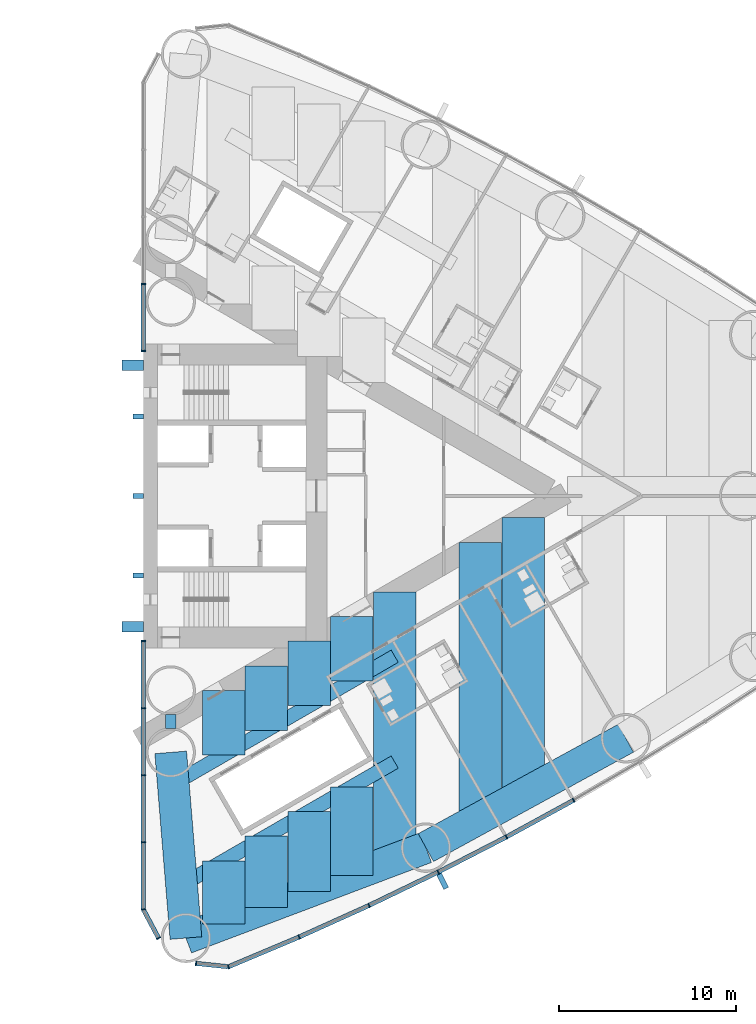
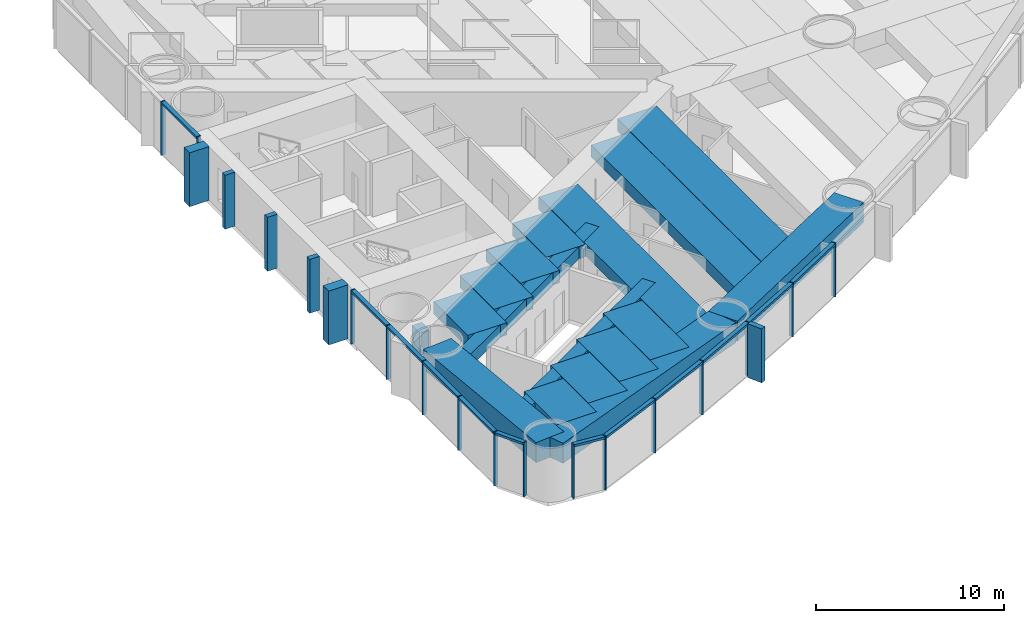
# One storey, part 6 of 19: 33 members, 17 beams, 3 elements without a shape of their own.
"""IFC4 building model written with IfcOpenShell, lengths in metres."""

from ifc_helpers import new_model, si_unit, direction, frame, origin, origin_2d, place, context, subcontext, project, spatial, rectangle, hollow_rectangle, extrude, material, material_profile, profile_set, type_object, element, aggregate, save


model = new_model("IFC4")

# Units and contexts
model_context = context("Model", 3, precision=1e-05, world=origin(), true_north=direction((0.0, 1.0)))
body_context = subcontext(model_context, "Body", "Model", "MODEL_VIEW")
ifc_project = project(units=[si_unit("LENGTHUNIT", "METRE"), si_unit("AREAUNIT", "SQUARE_METRE"), si_unit("VOLUMEUNIT", "CUBIC_METRE"), si_unit("PLANEANGLEUNIT", "RADIAN"), si_unit("MASSUNIT", "GRAM", prefix="KILO")], contexts=[model_context])

# Site, building, storey
site_placement = place(None, origin())
site = spatial("IfcSite", under=ifc_project, at=site_placement, CompositionType="ELEMENT")
building_placement = place(site_placement, origin())
building = spatial("IfcBuilding", under=site, at=building_placement, Name="Lancet Gate Hotel", CompositionType="ELEMENT")
storey_placement = place(building_placement, frame((0.0, 0.0, 28.5)))
storey = spatial("IfcBuildingStorey", under=building, at=storey_placement, Name="L06", CompositionType="ELEMENT", Elevation=28.5)

# Curtain wall, members
ifc_material_1 = material(Name="Aluminium curtain wall", Category="aluminium")
curtain_wall_type = type_object("IfcCurtainWallType", Name="Tower unitised curtain wall", PredefinedType="USERDEFINED", material=ifc_material_1)
curtain_wall_1_placement = place(storey_placement, origin())
curtain_wall_1 = element("IfcCurtainWall", 1, at=curtain_wall_1_placement, inside=storey, type_object=curtain_wall_type, Name="T2 L06 curtain wall 1", ObjectType="UNITISED CURTAIN WALL", PredefinedType="USERDEFINED")
ifc_material_2 = material(Name="Aluminium mullion", Category="aluminium")
ifc_material_profile_1 = material_profile(ifc_material_2, rectangle(XDim=0.06494140625, YDim=0.25, at=origin_2d()), Name="MULLION 65x250")
ifc_profile_set_1 = profile_set([ifc_material_profile_1], Name="Aluminium mullion")
member_type_1 = type_object("IfcMemberType", Name="Aluminium mullion 65x250", PredefinedType="MULLION", material=ifc_profile_set_1)
member_1_placement = place(storey_placement, frame((27.5, -8.199951171875, 0.0), z_axis=(0.0, 0.0, 1.0), x_axis=(0.0, -1.0, 0.0)))
member_1 = element("IfcMember", 2, at=member_1_placement, type_object=member_type_1, Name="T2 L06 curtain wall 1 mullion 1", PredefinedType="MULLION", context=body_context, shape_type="SweptSolid", body=[
    extrude(rectangle(XDim=0.06494140625, YDim=0.25, at=origin_2d()), origin(), (0.0, 0.0, 1.0), 3.5),
])
member_2_placement = place(storey_placement, frame((27.5, -11.99609375, 0.0), z_axis=(0.0, 0.0, 1.0), x_axis=(0.0, -1.0, 0.0)))
member_2 = element("IfcMember", 3, at=member_2_placement, type_object=member_type_1, Name="T2 L06 curtain wall 1 mullion 2", PredefinedType="MULLION", context=body_context, shape_type="SweptSolid", body=[
    extrude(rectangle(XDim=0.06494140625, YDim=0.25, at=origin_2d()), origin(), (0.0, 0.0, 1.0), 3.5),
])
member_3_placement = place(storey_placement, frame((27.5, -15.79248046875, 0.0), z_axis=(0.0, 0.0, 1.0), x_axis=(0.0, -1.0, 0.0)))
member_3 = element("IfcMember", 4, at=member_3_placement, type_object=member_type_1, Name="T2 L06 curtain wall 1 mullion 3", PredefinedType="MULLION", context=body_context, shape_type="SweptSolid", body=[
    extrude(rectangle(XDim=0.06494140625, YDim=0.25, at=origin_2d()), origin(), (0.0, 0.0, 1.0), 3.5),
])
member_4_placement = place(storey_placement, frame((27.5, -19.588623046875, 0.0), z_axis=(0.0, 0.0, 1.0), x_axis=(0.0, -1.0, 0.0)))
member_4 = element("IfcMember", 5, at=member_4_placement, type_object=member_type_1, Name="T2 L06 curtain wall 1 mullion 4", PredefinedType="MULLION", context=body_context, shape_type="SweptSolid", body=[
    extrude(rectangle(XDim=0.06494140625, YDim=0.25, at=origin_2d()), origin(), (0.0, 0.0, 1.0), 3.5),
])
member_5_placement = place(storey_placement, frame((27.5, -23.384765625, 0.0), z_axis=(0.0, 0.0, 1.0), x_axis=(0.157751691459, -0.987478811844, 0.0)))
member_5 = element("IfcMember", 6, at=member_5_placement, type_object=member_type_1, Name="T2 L06 curtain wall 1 mullion 5", PredefinedType="MULLION", context=body_context, shape_type="SweptSolid", body=[
    extrude(rectangle(XDim=0.06494140625, YDim=0.25, at=origin_2d()), origin(), (0.0, 0.0, 1.0), 3.5),
])
member_6_placement = place(storey_placement, frame((28.366455078125, -25.012451171875, 0.0), z_axis=(0.0, 0.0, 1.0), x_axis=(0.469897827284, -0.882720811987, 0.0)))
member_6 = element("IfcMember", 7, at=member_6_placement, type_object=member_type_1, Name="T2 L06 curtain wall 1 mullion 6", PredefinedType="MULLION", context=body_context, shape_type="SweptSolid", body=[
    extrude(rectangle(XDim=0.06494140625, YDim=0.25, at=origin_2d()), origin(), (0.0, 0.0, 1.0), 3.5),
])

curtain_wall_2_placement = place(storey_placement, origin())
curtain_wall_2 = element("IfcCurtainWall", 8, at=curtain_wall_2_placement, inside=storey, type_object=curtain_wall_type, Name="T2 L06 curtain wall 2", ObjectType="UNITISED CURTAIN WALL", PredefinedType="USERDEFINED")
member_7_placement = place(storey_placement, frame((30.48388671875, -26.4375, 0.0), z_axis=(0.0, 0.0, 1.0), x_axis=(0.994672262412, -0.10308778001, 0.0)))
member_7 = element("IfcMember", 9, at=member_7_placement, type_object=member_type_1, Name="T2 L06 curtain wall 2 mullion 1", PredefinedType="MULLION", context=body_context, shape_type="SweptSolid", body=[
    extrude(rectangle(XDim=0.06494140625, YDim=0.25, at=origin_2d()), origin(), (0.0, 0.0, 1.0), 3.5),
])
member_8_placement = place(storey_placement, frame((32.3173828125, -26.62744140625, 0.0), z_axis=(0.0, 0.0, 1.0), x_axis=(0.968721492963, 0.248150496819, 0.0)))
member_8 = element("IfcMember", 10, at=member_8_placement, type_object=member_type_1, Name="T2 L06 curtain wall 2 mullion 2", PredefinedType="MULLION", context=body_context, shape_type="SweptSolid", body=[
    extrude(rectangle(XDim=0.06494140625, YDim=0.25, at=origin_2d()), origin(), (0.0, 0.0, 1.0), 3.5),
])
member_9_placement = place(storey_placement, frame((36.31494140625, -24.943603515625, 0.0), z_axis=(0.0, 0.0, 1.0), x_axis=(0.916578705089, 0.399854320193, 0.0)))
member_9 = element("IfcMember", 11, at=member_9_placement, type_object=member_type_1, Name="T2 L06 curtain wall 2 mullion 3", PredefinedType="MULLION", context=body_context, shape_type="SweptSolid", body=[
    extrude(rectangle(XDim=0.06494140625, YDim=0.25, at=origin_2d()), origin(), (0.0, 0.0, 1.0), 3.5),
])
member_10_placement = place(storey_placement, frame((40.2685546875, -23.15869140625, 0.0), z_axis=(0.0, 0.0, 1.0), x_axis=(0.906104948671, 0.423052977762, 0.0)))
member_10 = element("IfcMember", 12, at=member_10_placement, type_object=member_type_1, Name="T2 L06 curtain wall 2 mullion 4", PredefinedType="MULLION", context=body_context, shape_type="SweptSolid", body=[
    extrude(rectangle(XDim=0.06494140625, YDim=0.25, at=origin_2d()), origin(), (0.0, 0.0, 1.0), 3.5),
])
member_11_placement = place(storey_placement, frame((44.17529296875, -21.273681640625, 0.0), z_axis=(0.0, 0.0, 1.0), x_axis=(0.895044147438, 0.445977548917, 0.0)))
member_11 = element("IfcMember", 13, at=member_11_placement, type_object=member_type_1, Name="T2 L06 curtain wall 2 mullion 5", PredefinedType="MULLION", context=body_context, shape_type="SweptSolid", body=[
    extrude(rectangle(XDim=0.06494140625, YDim=0.25, at=origin_2d()), origin(), (0.0, 0.0, 1.0), 3.5),
])
member_12_placement = place(storey_placement, frame((48.03271484375, -19.2900390625, 0.0), z_axis=(0.0, 0.0, 1.0), x_axis=(0.88340346743, 0.468613181347, 0.0)))
member_12 = element("IfcMember", 14, at=member_12_placement, type_object=member_type_1, Name="T2 L06 curtain wall 2 mullion 6", PredefinedType="MULLION", context=body_context, shape_type="SweptSolid", body=[
    extrude(rectangle(XDim=0.06494140625, YDim=0.25, at=origin_2d()), origin(), (0.0, 0.0, 1.0), 3.5),
])
member_13_placement = place(storey_placement, frame((51.838623046875, -17.208740234375, 0.0), z_axis=(0.0, 0.0, 1.0), x_axis=(0.871190450382, 0.490945209941, 0.0)))
member_13 = element("IfcMember", 15, at=member_13_placement, type_object=member_type_1, Name="T2 L06 curtain wall 2 mullion 7", PredefinedType="MULLION", context=body_context, shape_type="SweptSolid", body=[
    extrude(rectangle(XDim=0.06494140625, YDim=0.25, at=origin_2d()), origin(), (0.0, 0.0, 1.0), 3.5),
])

curtain_wall_3_placement = place(storey_placement, origin())
curtain_wall_3 = element("IfcCurtainWall", 16, at=curtain_wall_3_placement, inside=storey, type_object=curtain_wall_type, Name="T2 L06 curtain wall 4", ObjectType="UNITISED CURTAIN WALL", PredefinedType="USERDEFINED")
member_14_placement = place(storey_placement, frame((27.5, 11.99609375, 0.0), z_axis=(0.0, 0.0, 1.0), x_axis=(0.0, -1.0, 0.0)))
member_14 = element("IfcMember", 17, at=member_14_placement, type_object=member_type_1, Name="T2 L06 curtain wall 4 mullion 5", PredefinedType="MULLION", context=body_context, shape_type="SweptSolid", body=[
    extrude(rectangle(XDim=0.06494140625, YDim=0.25, at=origin_2d()), origin(), (0.0, 0.0, 1.0), 3.5),
])
member_15_placement = place(storey_placement, frame((27.5, 8.199951171875, 0.0), z_axis=(0.0, 0.0, 1.0), x_axis=(0.0, -1.0, 0.0)))
member_15 = element("IfcMember", 18, at=member_15_placement, type_object=member_type_1, Name="T2 L06 curtain wall 4 mullion 6", PredefinedType="MULLION", context=body_context, shape_type="SweptSolid", body=[
    extrude(rectangle(XDim=0.06494140625, YDim=0.25, at=origin_2d()), origin(), (0.0, 0.0, 1.0), 3.5),
])

# Member
ifc_material_3 = material(Name="Aluminium transom", Category="aluminium")
ifc_material_profile_2 = material_profile(ifc_material_3, rectangle(XDim=0.25, YDim=0.14990234375, at=origin_2d()), Name="TRANSOM 250x150")
ifc_profile_set_2 = profile_set([ifc_material_profile_2], Name="Aluminium transom")
member_type_2 = type_object("IfcMemberType", Name="Aluminium transom 250x150", PredefinedType="USERDEFINED", material=ifc_profile_set_2)
member_16_placement = place(storey_placement, frame((27.5, -8.232421875, 3.425048828125), z_axis=(0.0, -1.0, 0.0), x_axis=(1.0, 0.0, 0.0)))
member_16 = element("IfcMember", 19, at=member_16_placement, type_object=member_type_2, Name="T2 L06 curtain wall 1 transom 1", ObjectType="TRANSOM", PredefinedType="USERDEFINED", context=body_context, shape_type="SweptSolid", body=[
    extrude(rectangle(XDim=0.25, YDim=0.14990234375, at=origin_2d()), origin(), (0.0, 0.0, 1.0), 3.731201171875),
])

member_17_placement = place(storey_placement, frame((27.5, -12.02880859375, 3.425048828125), z_axis=(0.0, -1.0, 0.0), x_axis=(1.0, 0.0, 0.0)))
member_17 = element("IfcMember", 20, at=member_17_placement, type_object=member_type_2, Name="T2 L06 curtain wall 1 transom 2", ObjectType="TRANSOM", PredefinedType="USERDEFINED", context=body_context, shape_type="SweptSolid", body=[
    extrude(rectangle(XDim=0.25, YDim=0.14990234375, at=origin_2d()), origin(), (0.0, 0.0, 1.0), 3.731201171875),
])

member_18_placement = place(storey_placement, frame((27.5, -15.824951171875, 3.425048828125), z_axis=(0.0, -1.0, 0.0), x_axis=(1.0, 0.0, 0.0)))
member_18 = element("IfcMember", 21, at=member_18_placement, type_object=member_type_2, Name="T2 L06 curtain wall 1 transom 3", ObjectType="TRANSOM", PredefinedType="USERDEFINED", context=body_context, shape_type="SweptSolid", body=[
    extrude(rectangle(XDim=0.25, YDim=0.14990234375, at=origin_2d()), origin(), (0.0, 0.0, 1.0), 3.731201171875),
])

member_19_placement = place(storey_placement, frame((27.5, -19.62109375, 3.425048828125), z_axis=(0.0, -1.0, 0.0), x_axis=(1.0, 0.0, 0.0)))
member_19 = element("IfcMember", 22, at=member_19_placement, type_object=member_type_2, Name="T2 L06 curtain wall 1 transom 4", ObjectType="TRANSOM", PredefinedType="USERDEFINED", context=body_context, shape_type="SweptSolid", body=[
    extrude(rectangle(XDim=0.25, YDim=0.14990234375, at=origin_2d()), origin(), (0.0, 0.0, 1.0), 3.731201171875),
])

member_20_placement = place(storey_placement, frame((27.515380859375, -23.41357421875, 3.425048828125), z_axis=(0.469904276347, -0.882717378933, 0.0), x_axis=(0.882717378933, 0.469904276347, 0.0)))
member_20 = element("IfcMember", 23, at=member_20_placement, type_object=member_type_2, Name="T2 L06 curtain wall 1 transom 5", ObjectType="TRANSOM", PredefinedType="USERDEFINED", context=body_context, shape_type="SweptSolid", body=[
    extrude(rectangle(XDim=0.25, YDim=0.14990234375, at=origin_2d()), origin(), (0.0, 0.0, 1.0), 1.779052734375),
])

aggregate(curtain_wall_1, [member_1, member_2, member_3, member_4, member_5, member_6, member_16, member_17, member_18, member_19, member_20])

member_21_placement = place(storey_placement, frame((30.516357421875, -26.440673828125, 3.425048828125), z_axis=(0.994670452051, -0.103105246306, 0.0), x_axis=(0.103105246306, 0.994670452051, 0.0)))
member_21 = element("IfcMember", 24, at=member_21_placement, type_object=member_type_2, Name="T2 L06 curtain wall 2 transom 1", ObjectType="TRANSOM", PredefinedType="USERDEFINED", context=body_context, shape_type="SweptSolid", body=[
    extrude(rectangle(XDim=0.25, YDim=0.14990234375, at=origin_2d()), origin(), (0.0, 0.0, 1.0), 1.7783203125),
])

member_22_placement = place(storey_placement, frame((32.347412109375, -26.61474609375, 3.425048828125), z_axis=(0.92159772617, 0.388146404233, 0.0), x_axis=(-0.388146404233, 0.92159772617, 0.0)))
member_22 = element("IfcMember", 25, at=member_22_placement, type_object=member_type_2, Name="T2 L06 curtain wall 2 transom 2", ObjectType="TRANSOM", PredefinedType="USERDEFINED", context=body_context, shape_type="SweptSolid", body=[
    extrude(rectangle(XDim=0.25, YDim=0.14990234375, at=origin_2d()), origin(), (0.0, 0.0, 1.0), 4.272705078125),
])

member_23_placement = place(storey_placement, frame((36.3447265625, -24.930419921875, 3.425048828125), z_axis=(0.911396871737, 0.411528543589, 0.0), x_axis=(-0.411528543589, 0.911396871737, 0.0)))
member_23 = element("IfcMember", 26, at=member_23_placement, type_object=member_type_2, Name="T2 L06 curtain wall 2 transom 3", ObjectType="TRANSOM", PredefinedType="USERDEFINED", context=body_context, shape_type="SweptSolid", body=[
    extrude(rectangle(XDim=0.25, YDim=0.14990234375, at=origin_2d()), origin(), (0.0, 0.0, 1.0), 4.272705078125),
])

member_24_placement = place(storey_placement, frame((40.2978515625, -23.14453125, 3.425048828125), z_axis=(0.900646499888, 0.434552508035, 0.0), x_axis=(-0.434552508035, 0.900646499888, 0.0)))
member_24 = element("IfcMember", 27, at=member_24_placement, type_object=member_type_2, Name="T2 L06 curtain wall 2 transom 4", ObjectType="TRANSOM", PredefinedType="USERDEFINED", context=body_context, shape_type="SweptSolid", body=[
    extrude(rectangle(XDim=0.25, YDim=0.14990234375, at=origin_2d()), origin(), (0.0, 0.0, 1.0), 4.272705078125),
])

member_25_placement = place(storey_placement, frame((44.2041015625, -21.259033203125, 3.425048828125), z_axis=(0.88929576978, 0.457332520002, 0.0), x_axis=(-0.457332520002, 0.88929576978, 0.0)))
member_25 = element("IfcMember", 28, at=member_25_placement, type_object=member_type_2, Name="T2 L06 curtain wall 2 transom 5", ObjectType="TRANSOM", PredefinedType="USERDEFINED", context=body_context, shape_type="SweptSolid", body=[
    extrude(rectangle(XDim=0.25, YDim=0.14990234375, at=origin_2d()), origin(), (0.0, 0.0, 1.0), 4.272705078125),
])

member_26_placement = place(storey_placement, frame((48.061279296875, -19.2744140625, 3.425048828125), z_axis=(0.877377528879, 0.479800658417, 0.0), x_axis=(-0.479800658417, 0.877377528879, 0.0)))
member_26 = element("IfcMember", 29, at=member_26_placement, type_object=member_type_2, Name="T2 L06 curtain wall 2 transom 6", ObjectType="TRANSOM", PredefinedType="USERDEFINED", context=body_context, shape_type="SweptSolid", body=[
    extrude(rectangle(XDim=0.25, YDim=0.14990234375, at=origin_2d()), origin(), (0.0, 0.0, 1.0), 4.272705078125),
])

member_27_placement = place(storey_placement, frame((27.5, 11.963623046875, 3.425048828125), z_axis=(0.0, -1.0, 0.0), x_axis=(1.0, 0.0, 0.0)))
member_27 = element("IfcMember", 30, at=member_27_placement, type_object=member_type_2, Name="T2 L06 curtain wall 4 transom 5", ObjectType="TRANSOM", PredefinedType="USERDEFINED", context=body_context, shape_type="SweptSolid", body=[
    extrude(rectangle(XDim=0.25, YDim=0.14990234375, at=origin_2d()), origin(), (0.0, 0.0, 1.0), 3.731201171875),
])

aggregate(curtain_wall_3, [member_14, member_15, member_27])

# Beams
ifc_material_4 = material(Name="Concrete C50/60", Category="concrete")
ifc_material_profile_3 = material_profile(ifc_material_4, rectangle(XDim=1.800048828125, YDim=1.300048828125, at=origin_2d()), Name="RC 1800x1300")
ifc_profile_set_3 = profile_set([ifc_material_profile_3], Name="Concrete C50/60")
beam_type_1 = type_object("IfcBeamType", Name="Edge beam RC 1800x1300", PredefinedType="SPANDREL", material=ifc_profile_set_3)
beam_1_placement = place(storey_placement, frame((29.9111328125, -25.00244140625, 2.60009765625), z_axis=(0.935736448066, 0.352700013836, 0.0), x_axis=(-0.352700013836, 0.935736448066, 0.0)))
element("IfcBeam", 31, at=beam_1_placement, inside=storey, type_object=beam_type_1, Name="T2 edge beam EB1 L06", PredefinedType="SPANDREL", context=body_context, shape_type="SweptSolid", body=[
    extrude(rectangle(XDim=1.800048828125, YDim=1.300048828125, at=origin_2d()), origin(), (0.0, 0.0, 1.0), 14.505126953125),
])
beam_2_placement = place(storey_placement, frame((43.484130859375, -19.886474609375, 2.60009765625), z_axis=(0.87736889738, 0.479816441893, 0.0), x_axis=(-0.479816441893, 0.87736889738, 0.0)))
element("IfcBeam", 32, at=beam_2_placement, inside=storey, type_object=beam_type_1, Name="T2 edge beam EB1 L06", PredefinedType="SPANDREL", context=body_context, shape_type="SweptSolid", body=[
    extrude(rectangle(XDim=1.800048828125, YDim=1.300048828125, at=origin_2d()), origin(), (0.0, 0.0, 1.0), 12.89208984375),
])
beam_3_placement = place(storey_placement, frame((29.9111328125, -25.00244140625, 2.60009765625), z_axis=(-0.081714744052, 0.996655758326, 0.0), x_axis=(-0.996655758326, -0.081714744052, 0.0)))
element("IfcBeam", 33, at=beam_3_placement, inside=storey, type_object=beam_type_1, Name="T2 edge beam EB1 L06", PredefinedType="SPANDREL", context=body_context, shape_type="SweptSolid", body=[
    extrude(rectangle(XDim=1.800048828125, YDim=1.300048828125, at=origin_2d()), origin(), (0.0, 0.0, 1.0), 10.53759765625),
])

# Members
ifc_material_5 = material(Name="Concrete C60/75", Category="concrete")
ifc_material_profile_4 = material_profile(ifc_material_5, rectangle(XDim=0.60009765625, YDim=1.199951171875, at=origin_2d()), Name="FIN 600x1200")
ifc_profile_set_4 = profile_set([ifc_material_profile_4], Name="Concrete C60/75")
member_type_3 = type_object("IfcMemberType", Name="Exposed concrete buttress pilaster 600x1200", PredefinedType="USERDEFINED", material=ifc_profile_set_4)
for number, where, z_axis, x_axis, name in (
    (34, (26.909912109375, -7.39990234375, 0.0), (0.0, 0.0, 1.0), (0.0, 1.0, 0.0), "T2 buttress pilaster S L06"),
    (35, (26.909912109375, 7.39990234375, 0.0), (0.0, 0.0, 1.0), (0.0, 1.0, 0.0), "T2 buttress pilaster N L06"),
):
    element("IfcMember", number, at=place(storey_placement, frame(where, z_axis=z_axis, x_axis=x_axis)), inside=storey, type_object=member_type_3, Name=name, ObjectType="FIN", PredefinedType="USERDEFINED", context=body_context, shape_type="SweptSolid", body=[
        extrude(rectangle(XDim=0.60009765625, YDim=1.199951171875, at=origin_2d()), origin(), (0.0, 0.0, 1.0), 3.5),
    ])

# Member
ifc_material_6 = material(Name="Precast concrete C50/60", Category="concrete")
ifc_material_profile_5 = material_profile(ifc_material_6, rectangle(XDim=0.300048828125, YDim=0.89990234375, at=origin_2d()), Name="FIN 300x900")
ifc_profile_set_5 = profile_set([ifc_material_profile_5], Name="Precast concrete C50/60")
member_type_4 = type_object("IfcMemberType", Name="Exposed concrete fin 300x900", PredefinedType="USERDEFINED", material=ifc_profile_set_5)
member_28_placement = place(storey_placement, frame((44.431640625, -21.788330078125, 0.0), z_axis=(0.0, 0.0, 1.0), x_axis=(0.895044147438, 0.445977548917, 0.0)))
member_28 = element("IfcMember", 36, at=member_28_placement, type_object=member_type_4, Name="T2 L06 curtain wall 2 fin 5", ObjectType="FIN", PredefinedType="USERDEFINED", context=body_context, shape_type="SweptSolid", body=[
    extrude(rectangle(XDim=0.300048828125, YDim=0.89990234375, at=origin_2d()), origin(), (0.0, 0.0, 1.0), 3.5),
])

aggregate(curtain_wall_2, [member_7, member_8, member_9, member_10, member_11, member_28, member_12, member_13, member_21, member_22, member_23, member_24, member_25, member_26])

# Members
ifc_material_7 = material(Name="Concrete C60/75", Category="concrete")
ifc_material_profile_6 = material_profile(ifc_material_7, rectangle(XDim=0.300048828125, YDim=0.60009765625, at=origin_2d()), Name="FIN 300x600")
ifc_profile_set_6 = profile_set([ifc_material_profile_6], Name="Concrete C60/75")
member_type_5 = type_object("IfcMemberType", Name="Exposed concrete rib 300x600", PredefinedType="USERDEFINED", material=ifc_profile_set_6)
for number, where, z_axis, x_axis, name in (
    (37, (27.2099609375, -4.5, 0.0), (0.0, 0.0, 1.0), (0.0, 1.0, 0.0), "T2 core rib 1 L06"),
    (38, (27.2099609375, 0.0, 0.0), (0.0, 0.0, 1.0), (0.0, 1.0, 0.0), "T2 core rib 2 L06"),
    (39, (27.2099609375, 4.5, 0.0), (0.0, 0.0, 1.0), (0.0, 1.0, 0.0), "T2 core rib 3 L06"),
):
    element("IfcMember", number, at=place(storey_placement, frame(where, z_axis=z_axis, x_axis=x_axis)), inside=storey, type_object=member_type_5, Name=name, ObjectType="FIN", PredefinedType="USERDEFINED", context=body_context, shape_type="SweptSolid", body=[
        extrude(rectangle(XDim=0.300048828125, YDim=0.60009765625, at=origin_2d()), origin(), (0.0, 0.0, 1.0), 3.5),
    ])

# Beams
ifc_material_8 = material(Name="Concrete C50/60", Category="concrete")
ifc_material_profile_7 = material_profile(ifc_material_8, rectangle(XDim=2.39990234375, YDim=0.800048828125, at=origin_2d()), Name="RC 2400x800")
ifc_profile_set_7 = profile_set([ifc_material_profile_7], Name="Concrete C50/60")
beam_type_2 = type_object("IfcBeamType", Name="Floor beam RC 2400x800", PredefinedType="BEAM", material=ifc_profile_set_7)
beam_4_placement = place(storey_placement, frame((41.721435546875, -20.55078125, 2.85009765625), z_axis=(0.0, 1.0, 0.0), x_axis=(-1.0, 0.0, 0.0)))
element("IfcBeam", 40, at=beam_4_placement, inside=storey, type_object=beam_type_2, Name="T2 floor beam F11S L06", PredefinedType="BEAM", context=body_context, shape_type="SweptSolid", body=[
    extrude(rectangle(XDim=2.39990234375, YDim=0.800048828125, at=origin_2d()), origin(), (0.0, 0.0, 1.0), 15.134765625),
])
beam_5_placement = place(storey_placement, frame((46.561767578125, -18.203369140625, 2.85009765625), z_axis=(0.0, 1.0, 0.0), x_axis=(-1.0, 0.0, 0.0)))
element("IfcBeam", 41, at=beam_5_placement, inside=storey, type_object=beam_type_2, Name="T2 floor beam F13S L06", PredefinedType="BEAM", context=body_context, shape_type="SweptSolid", body=[
    extrude(rectangle(XDim=2.39990234375, YDim=0.800048828125, at=origin_2d()), origin(), (0.0, 0.0, 1.0), 15.58203125),
])
beam_6_placement = place(storey_placement, frame((48.98193359375, -16.879638671875, 2.85009765625), z_axis=(0.0, 1.0, 0.0), x_axis=(-1.0, 0.0, 0.0)))
element("IfcBeam", 42, at=beam_6_placement, inside=storey, type_object=beam_type_2, Name="T2 floor beam F15S L06", PredefinedType="BEAM", context=body_context, shape_type="SweptSolid", body=[
    extrude(rectangle(XDim=2.39990234375, YDim=0.800048828125, at=origin_2d()), origin(), (0.0, 0.0, 1.0), 15.655517578125),
])
beam_7_placement = place(storey_placement, frame((32.04052734375, -24.199951171875, 2.85009765625), z_axis=(0.0, 1.0, 0.0), x_axis=(-1.0, 0.0, 0.0)))
element("IfcBeam", 43, at=beam_7_placement, inside=storey, type_object=beam_type_2, Name="T2 floor beam F03SA L06", PredefinedType="BEAM", context=body_context, shape_type="SweptSolid", body=[
    extrude(rectangle(XDim=2.39990234375, YDim=0.800048828125, at=origin_2d()), origin(), (0.0, 0.0, 1.0), 3.5615234375),
])
beam_8_placement = place(storey_placement, frame((32.04052734375, -14.65087890625, 2.85009765625), z_axis=(0.0, 1.0, 0.0), x_axis=(-1.0, 0.0, 0.0)))
element("IfcBeam", 44, at=beam_8_placement, inside=storey, type_object=beam_type_2, Name="T2 floor beam F03SB L06", PredefinedType="BEAM", context=body_context, shape_type="SweptSolid", body=[
    extrude(rectangle(XDim=2.39990234375, YDim=0.800048828125, at=origin_2d()), origin(), (0.0, 0.0, 1.0), 3.6455078125),
])
beam_9_placement = place(storey_placement, frame((34.460693359375, -23.28759765625, 2.85009765625), z_axis=(0.0, 1.0, 0.0), x_axis=(-1.0, 0.0, 0.0)))
element("IfcBeam", 45, at=beam_9_placement, inside=storey, type_object=beam_type_2, Name="T2 floor beam F05SA L06", PredefinedType="BEAM", context=body_context, shape_type="SweptSolid", body=[
    extrude(rectangle(XDim=2.39990234375, YDim=0.800048828125, at=origin_2d()), origin(), (0.0, 0.0, 1.0), 4.04638671875),
])
beam_10_placement = place(storey_placement, frame((34.460693359375, -13.253662109375, 2.85009765625), z_axis=(0.0, 1.0, 0.0), x_axis=(-1.0, 0.0, 0.0)))
element("IfcBeam", 46, at=beam_10_placement, inside=storey, type_object=beam_type_2, Name="T2 floor beam F05SB L06", PredefinedType="BEAM", context=body_context, shape_type="SweptSolid", body=[
    extrude(rectangle(XDim=2.39990234375, YDim=0.800048828125, at=origin_2d()), origin(), (0.0, 0.0, 1.0), 3.645751953125),
])
beam_11_placement = place(storey_placement, frame((36.880859375, -22.37548828125, 2.85009765625), z_axis=(0.0, 1.0, 0.0), x_axis=(-1.0, 0.0, 0.0)))
element("IfcBeam", 47, at=beam_11_placement, inside=storey, type_object=beam_type_2, Name="T2 floor beam F07SA L06", PredefinedType="BEAM", context=body_context, shape_type="SweptSolid", body=[
    extrude(rectangle(XDim=2.39990234375, YDim=0.800048828125, at=origin_2d()), origin(), (0.0, 0.0, 1.0), 4.53173828125),
])
beam_12_placement = place(storey_placement, frame((36.880859375, -11.8564453125, 2.85009765625), z_axis=(0.0, 1.0, 0.0), x_axis=(-1.0, 0.0, 0.0)))
element("IfcBeam", 48, at=beam_12_placement, inside=storey, type_object=beam_type_2, Name="T2 floor beam F07SB L06", PredefinedType="BEAM", context=body_context, shape_type="SweptSolid", body=[
    extrude(rectangle(XDim=2.39990234375, YDim=0.800048828125, at=origin_2d()), origin(), (0.0, 0.0, 1.0), 3.645751953125),
])
beam_13_placement = place(storey_placement, frame((39.301025390625, -21.463134765625, 2.85009765625), z_axis=(0.0, 1.0, 0.0), x_axis=(-1.0, 0.0, 0.0)))
element("IfcBeam", 49, at=beam_13_placement, inside=storey, type_object=beam_type_2, Name="T2 floor beam F09SA L06", PredefinedType="BEAM", context=body_context, shape_type="SweptSolid", body=[
    extrude(rectangle(XDim=2.39990234375, YDim=0.800048828125, at=origin_2d()), origin(), (0.0, 0.0, 1.0), 5.0166015625),
])
beam_14_placement = place(storey_placement, frame((39.301025390625, -10.458984375, 2.85009765625), z_axis=(0.0, 1.0, 0.0), x_axis=(-1.0, 0.0, 0.0)))
element("IfcBeam", 50, at=beam_14_placement, inside=storey, type_object=beam_type_2, Name="T2 floor beam F09SB L06", PredefinedType="BEAM", context=body_context, shape_type="SweptSolid", body=[
    extrude(rectangle(XDim=2.39990234375, YDim=0.800048828125, at=origin_2d()), origin(), (0.0, 0.0, 1.0), 3.6455078125),
])
ifc_material_9 = material(Name="Steel S460QL", Category="steel")
ifc_material_profile_8 = material_profile(ifc_material_9, hollow_rectangle(XDim=0.60009765625, YDim=1.5, WallThickness=0.050048828125, at=origin_2d()), Name="BOX 1500x600x50")
ifc_profile_set_8 = profile_set([ifc_material_profile_8], Name="Steel S460QL")
beam_type_3 = type_object("IfcBeamType", Name="Inner-face link beam BOX 1500x600x50", PredefinedType="BEAM", material=ifc_profile_set_8)
beam_15_placement = place(storey_placement, frame((29.050048828125, -13.14990234375, 2.5), z_axis=(0.0, 1.0, 0.0), x_axis=(-1.0, 0.0, 0.0)))
element("IfcBeam", 51, at=beam_15_placement, inside=storey, type_object=beam_type_3, Name="T2 inner-face link beam LK1 L06", PredefinedType="BEAM", context=body_context, shape_type="SweptSolid", body=[
    extrude(hollow_rectangle(XDim=0.60009765625, YDim=1.5, WallThickness=0.050048828125, at=origin_2d()), origin(), (0.0, 0.0, 1.0), 0.7998046875),
])
ifc_material_10 = material(Name="Steel S460QL", Category="steel")
ifc_material_profile_9 = material_profile(ifc_material_10, hollow_rectangle(XDim=0.800048828125, YDim=0.800048828125, WallThickness=0.080078125, at=origin_2d()), Name="BOX 800x800x80")
ifc_profile_set_9 = profile_set([ifc_material_profile_9], Name="Steel S460QL")
beam_type_4 = type_object("IfcBeamType", Name="Trimmer beam BOX 800x800x80", PredefinedType="BEAM", material=ifc_profile_set_9)
beam_16_placement = place(storey_placement, frame((29.6201171875, -16.048095703125, 2.85009765625), z_axis=(0.866036909293, 0.499980071345, 0.0), x_axis=(-0.499980071345, 0.866036909293, 0.0)))
element("IfcBeam", 52, at=beam_16_placement, inside=storey, type_object=beam_type_4, Name="T2 trimmer beam TR01S L06", PredefinedType="BEAM", context=body_context, shape_type="SweptSolid", body=[
    extrude(hollow_rectangle(XDim=0.800048828125, YDim=0.800048828125, WallThickness=0.080078125, at=origin_2d()), origin(), (0.0, 0.0, 1.0), 13.97314453125),
])
beam_17_placement = place(storey_placement, frame((29.665771484375, -22.00927734375, 2.85009765625), z_axis=(0.866037222451, 0.499979528911, 0.0), x_axis=(-0.499979528911, 0.866037222451, 0.0)))
element("IfcBeam", 53, at=beam_17_placement, inside=storey, type_object=beam_type_4, Name="T2 trimmer beam TR02S L06", PredefinedType="BEAM", context=body_context, shape_type="SweptSolid", body=[
    extrude(hollow_rectangle(XDim=0.800048828125, YDim=0.800048828125, WallThickness=0.080078125, at=origin_2d()), origin(), (0.0, 0.0, 1.0), 13.92041015625),
])

save(model, "model.ifc")
